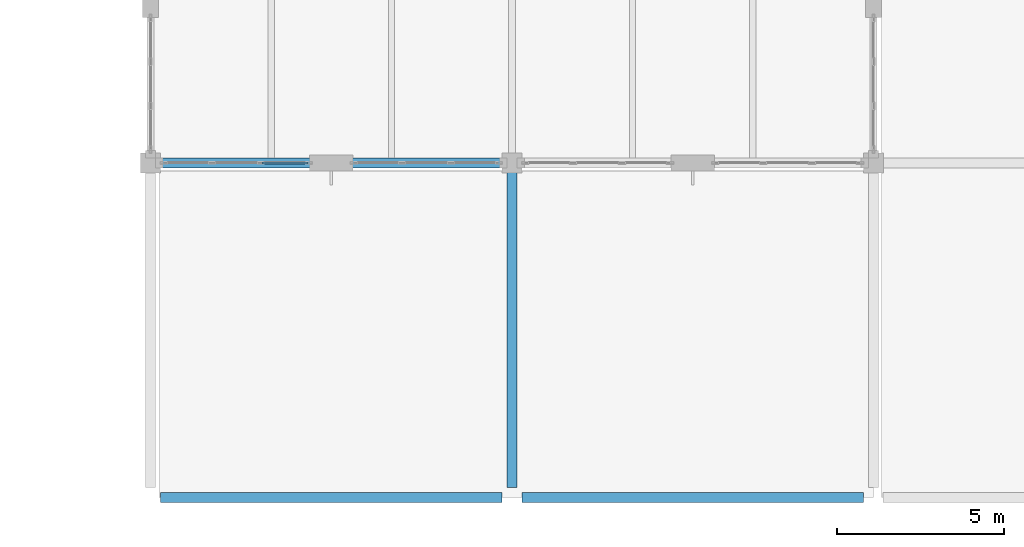
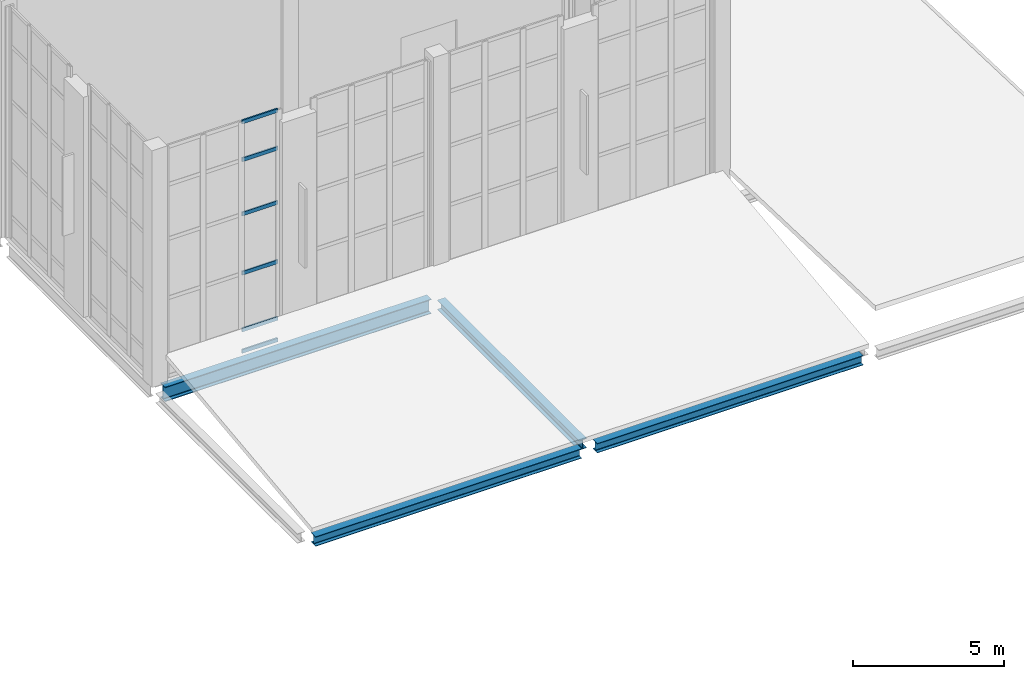
# One storey, part 34 of 100: 6 members, 4 beams, 1 element without a shape of its own.
"""IFC4 building model written with IfcOpenShell, lengths in metres."""

from ifc_helpers import new_model, si_unit, direction, frame, origin, origin_2d, place, context, subcontext, project, spatial, hollow_rectangle, i_section, extrude, material, layer, layer_set, material_profile, profile_set, type_object, element, aggregate, save


model = new_model("IFC4")

# Units and contexts
model_context = context("Model", 3, precision=1e-05, world=origin(), true_north=direction((0.0, 1.0)))
body_context = subcontext(model_context, "Body", "Model", "MODEL_VIEW")
ifc_project = project(units=[si_unit("LENGTHUNIT", "METRE"), si_unit("AREAUNIT", "SQUARE_METRE"), si_unit("VOLUMEUNIT", "CUBIC_METRE"), si_unit("PLANEANGLEUNIT", "RADIAN"), si_unit("MASSUNIT", "GRAM", prefix="KILO")], contexts=[model_context])

# Site, building, storey
site_placement = place(None, origin())
site = spatial("IfcSite", under=ifc_project, at=site_placement, CompositionType="ELEMENT")
building_placement = place(site_placement, origin())
building = spatial("IfcBuilding", under=site, at=building_placement, Name="Tasgan Crest Museum", CompositionType="ELEMENT")
storey_placement = place(building_placement, frame((0.0, 0.0, 14.39990234375)))
storey = spatial("IfcBuildingStorey", under=building, at=storey_placement, Name="L03", CompositionType="ELEMENT", Elevation=14.39990234375)

# Beams
ifc_material_1 = material(Name="Steel S355J2", Category="steel")
ifc_material_profile_1 = material_profile(ifc_material_1, i_section(OverallWidth=0.300048828125, OverallDepth=0.389892578125, WebThickness=0.010986328125, FlangeThickness=0.01904296875, FilletRadius=0.027099609375, at=origin_2d()), Name="HEA 400")
ifc_profile_set_1 = profile_set([ifc_material_profile_1], Name="Steel S355J2")
beam_type_1 = type_object("IfcBeamType", Name="BM-G-HEA400", PredefinedType="BEAM", material=ifc_profile_set_1)
for number, where, z_axis, x_axis, name in (
    (1, (108.2958984375, 20.0, -0.474853515625), (1.0, 0.0, 0.0), (0.0, 1.0, 0.0), "East archive south step roof girder C 108.0"),
    (2, (119.095947265625, 20.0, -0.474853515625), (1.0, 0.0, 0.0), (0.0, 1.0, 0.0), "East archive south step roof girder C 118.8"),
):
    element("IfcBeam", number, at=place(storey_placement, frame(where, z_axis=z_axis, x_axis=x_axis)), inside=storey, type_object=beam_type_1, Name=name, PredefinedType="BEAM", context=body_context, shape_type="SweptSolid", body=[
        extrude(i_section(OverallWidth=0.300048828125, OverallDepth=0.389892578125, WebThickness=0.010986328125, FlangeThickness=0.01904296875, FilletRadius=0.027099609375, at=origin_2d()), origin(), (0.0, 0.0, 1.0), 10.2080078125),
    ])
beam_1_placement = place(storey_placement, frame((118.800048828125, 20.294921875, -0.474853515625), z_axis=(0.0, 1.0, 0.0), x_axis=(-1.0, 0.0, 0.0)))
element("IfcBeam", 3, at=beam_1_placement, inside=storey, type_object=beam_type_1, Name="East archive south step roof beam 12 20.0", PredefinedType="BEAM", context=body_context, shape_type="SweptSolid", body=[
    extrude(i_section(OverallWidth=0.300048828125, OverallDepth=0.389892578125, WebThickness=0.010986328125, FlangeThickness=0.01904296875, FilletRadius=0.027099609375, at=origin_2d()), origin(), (0.0, 0.0, 1.0), 9.41015625),
])
ifc_material_2 = material(Name="Steel S355J2", Category="steel")
ifc_material_profile_2 = material_profile(ifc_material_2, i_section(OverallWidth=0.300048828125, OverallDepth=0.590087890625, WebThickness=0.012939453125, FlangeThickness=0.02490234375, FilletRadius=0.027099609375, at=origin_2d()), Name="HEA 600")
ifc_profile_set_2 = profile_set([ifc_material_profile_2], Name="Steel S355J2")
beam_type_2 = type_object("IfcBeamType", Name="BM-G-HEA600", PredefinedType="BEAM", material=ifc_profile_set_2)
beam_2_placement = place(storey_placement, frame((108.2958984375, 30.0, -0.574951171875), z_axis=(1.0, 0.0, 0.0), x_axis=(0.0, 1.0, 0.0)))
element("IfcBeam", 4, at=beam_2_placement, inside=storey, type_object=beam_type_2, Name="Girder L03 D 108.0-118.8", PredefinedType="BEAM", context=body_context, shape_type="SweptSolid", body=[
    extrude(i_section(OverallWidth=0.300048828125, OverallDepth=0.590087890625, WebThickness=0.012939453125, FlangeThickness=0.02490234375, FilletRadius=0.027099609375, at=origin_2d()), origin(), (0.0, 0.0, 1.0), 10.2080078125),
])

# Curtain wall, members
ifc_material_3 = material(Name="Triple-Glazed Aluminium Curtain Wall", Category="aluminium")
ifc_layer = layer(ifc_material_3, 0.179931640625, Name="CW-GAL-X-96")
ifc_layer_set = layer_set([ifc_layer], Name="Triple-Glazed Aluminium Curtain Wall")
curtain_wall_type = type_object("IfcCurtainWallType", Name="CW-GAL-X-96", PredefinedType="NOTDEFINED", material=ifc_layer_set)
curtain_wall_placement = place(storey_placement, origin())
curtain_wall = element("IfcCurtainWall", 5, at=curtain_wall_placement, inside=storey, type_object=curtain_wall_type, Name="Curtain wall L03 113", PredefinedType="NOTDEFINED")
ifc_material_4 = material(Name="Anodised Aluminium", Category="aluminium")
ifc_material_profile_3 = material_profile(ifc_material_4, hollow_rectangle(XDim=0.06005859375, YDim=0.14990234375, WallThickness=0.0048828125, at=origin_2d()), Name="ALU TRANSOM 150x60x5")
ifc_profile_set_3 = profile_set([ifc_material_profile_3], Name="Anodised Aluminium")
member_type = type_object("IfcMemberType", Name="CW-TRANSOM-150", PredefinedType="USERDEFINED", material=ifc_profile_set_3)
member_1_placement = place(storey_placement, frame((111.32177734375, 30.0, 0.030029296875), z_axis=(1.0, 0.0, 0.0), x_axis=(0.0, 1.0, 0.0)))
member_1 = element("IfcMember", 6, at=member_1_placement, type_object=member_type, Name="CW14 transom 3.1", ObjectType="TRANSOM", PredefinedType="USERDEFINED", context=body_context, shape_type="SweptSolid", body=[
    extrude(hollow_rectangle(XDim=0.06005859375, YDim=0.14990234375, WallThickness=0.0048828125, at=origin_2d()), origin(), (0.0, 0.0, 1.0), 1.373291015625),
])
member_2_placement = place(storey_placement, frame((111.32177734375, 30.0, 0.900146484375), z_axis=(1.0, 0.0, 0.0), x_axis=(0.0, 1.0, 0.0)))
member_2 = element("IfcMember", 7, at=member_2_placement, type_object=member_type, Name="CW14 transom 3.2", ObjectType="TRANSOM", PredefinedType="USERDEFINED", context=body_context, shape_type="SweptSolid", body=[
    extrude(hollow_rectangle(XDim=0.06005859375, YDim=0.14990234375, WallThickness=0.0048828125, at=origin_2d()), origin(), (0.0, 0.0, 1.0), 1.373291015625),
])
member_3_placement = place(storey_placement, frame((111.32177734375, 30.0, 3.2001953125), z_axis=(1.0, 0.0, 0.0), x_axis=(0.0, 1.0, 0.0)))
member_3 = element("IfcMember", 8, at=member_3_placement, type_object=member_type, Name="CW14 transom 3.3", ObjectType="TRANSOM", PredefinedType="USERDEFINED", context=body_context, shape_type="SweptSolid", body=[
    extrude(hollow_rectangle(XDim=0.06005859375, YDim=0.14990234375, WallThickness=0.0048828125, at=origin_2d()), origin(), (0.0, 0.0, 1.0), 1.373291015625),
])
member_4_placement = place(storey_placement, frame((111.32177734375, 30.0, 5.60009765625), z_axis=(1.0, 0.0, 0.0), x_axis=(0.0, 1.0, 0.0)))
member_4 = element("IfcMember", 9, at=member_4_placement, type_object=member_type, Name="CW14 transom 3.4", ObjectType="TRANSOM", PredefinedType="USERDEFINED", context=body_context, shape_type="SweptSolid", body=[
    extrude(hollow_rectangle(XDim=0.06005859375, YDim=0.14990234375, WallThickness=0.0048828125, at=origin_2d()), origin(), (0.0, 0.0, 1.0), 1.373291015625),
])
member_5_placement = place(storey_placement, frame((111.32177734375, 30.0, 7.800048828125), z_axis=(1.0, 0.0, 0.0), x_axis=(0.0, 1.0, 0.0)))
member_5 = element("IfcMember", 10, at=member_5_placement, type_object=member_type, Name="CW14 transom 3.5", ObjectType="TRANSOM", PredefinedType="USERDEFINED", context=body_context, shape_type="SweptSolid", body=[
    extrude(hollow_rectangle(XDim=0.06005859375, YDim=0.14990234375, WallThickness=0.0048828125, at=origin_2d()), origin(), (0.0, 0.0, 1.0), 1.373291015625),
])
member_6_placement = place(storey_placement, frame((111.32177734375, 30.0, 9.330078125), z_axis=(1.0, 0.0, 0.0), x_axis=(0.0, 1.0, 0.0)))
member_6 = element("IfcMember", 11, at=member_6_placement, type_object=member_type, Name="CW14 transom 3.6", ObjectType="TRANSOM", PredefinedType="USERDEFINED", context=body_context, shape_type="SweptSolid", body=[
    extrude(hollow_rectangle(XDim=0.06005859375, YDim=0.14990234375, WallThickness=0.0048828125, at=origin_2d()), origin(), (0.0, 0.0, 1.0), 1.373291015625),
])
aggregate(curtain_wall, [member_1, member_2, member_3, member_4, member_5, member_6])

save(model, "model.ifc")
